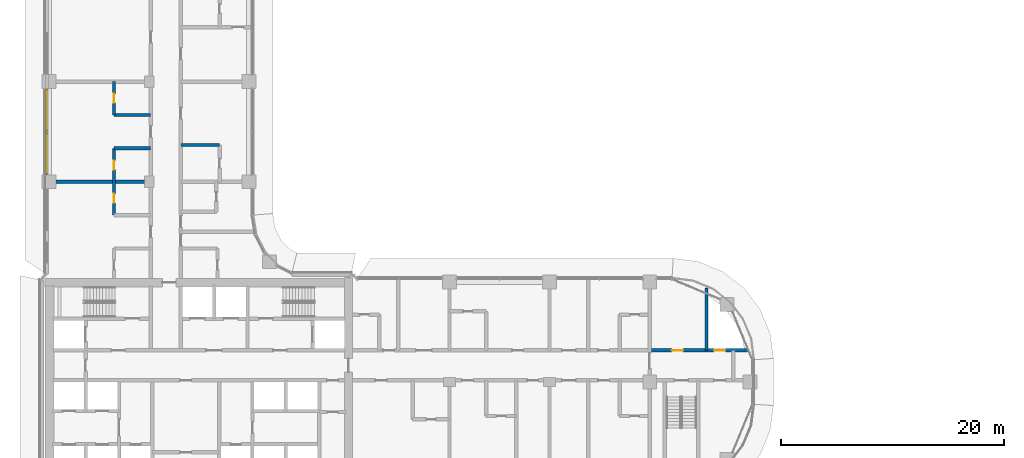
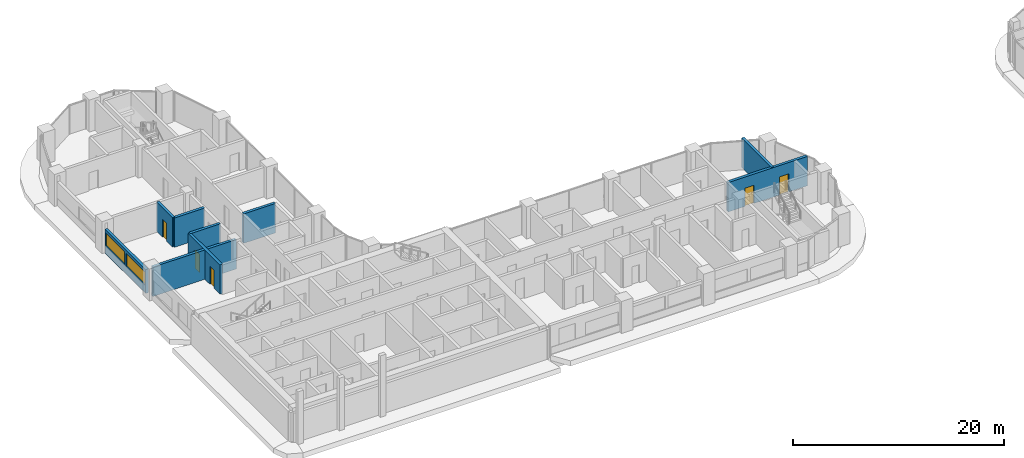
# One storey, part 18 of 33: 9 walls, 5 doors, 2 windows, 7 openings.
"""IFC4 building model written with IfcOpenShell, lengths in metres."""

from ifc_helpers import new_model, si_unit, direction, frame, frame_2d, origin, place, context, subcontext, project, spatial, rectangle, extrude, material, layer, layer_set, type_object, element, fill, save


model = new_model("IFC4")

# Units and contexts
model_context = context("Model", 3, precision=1e-05, world=origin(), true_north=direction((0.0, 1.0)))
body_context = subcontext(model_context, "Body", "Model", "MODEL_VIEW")
ifc_project = project(units=[si_unit("LENGTHUNIT", "METRE"), si_unit("AREAUNIT", "SQUARE_METRE"), si_unit("VOLUMEUNIT", "CUBIC_METRE"), si_unit("PLANEANGLEUNIT", "RADIAN"), si_unit("MASSUNIT", "GRAM", prefix="KILO")], contexts=[model_context])

# Site, building, storey
site_placement = place(None, origin())
site = spatial("IfcSite", under=ifc_project, at=site_placement, CompositionType="ELEMENT")
building_placement = place(site_placement, origin())
building = spatial("IfcBuilding", under=site, at=building_placement, Name="Ogive Portal Towers", CompositionType="ELEMENT")
storey_placement = place(building_placement, frame((0.0, 0.0, 98.199951171875)))
storey = spatial("IfcBuildingStorey", under=building, at=storey_placement, Name="L23", CompositionType="ELEMENT", Elevation=98.199951171875)

# Wall, openings, windows
ifc_material_1 = material(Name="Limestone cladding on lightweight block wall", Category="masonry")
ifc_layer_1 = layer(ifc_material_1, 0.300048828125)
ifc_layer_set_1 = layer_set([ifc_layer_1], Name="EXTERNAL WALL 300 STONE")
wall_type_1 = type_object("IfcWallType", Name="EXTERNAL WALL 300 STONE", PredefinedType="SOLIDWALL", material=ifc_layer_set_1)
wall_1_placement = place(storey_placement, frame((31.330078125, 56.875, 0.0), z_axis=(0.0, 0.0, 1.0), x_axis=(0.0, -1.0, 0.0)))
wall_1 = element("IfcWall", 1, at=wall_1_placement, inside=storey, type_object=wall_type_1, Name="A:L23:f12:r0:wall3", PredefinedType="SOLIDWALL", context=body_context, shape_type="SweptSolid", body=[
    extrude(rectangle(XDim=7.75, YDim=0.300048828125, at=frame_2d((3.875, 0.0))), origin(), (0.0, 0.0, 1.0), 2.75),
])
opening_1_placement = place(wall_1_placement, frame((0.125, 0.0, 0.89990234375)))
opening_1 = element("IfcOpeningElement", 2, at=opening_1_placement, cuts=wall_1, Name="Opening WN12", PredefinedType="OPENING", context=body_context, shape_type="SweptSolid", body=[
    extrude(rectangle(XDim=3.60009765625, YDim=1.5, at=frame_2d((1.800048828125, 0.75))), frame((0.0, 0.16015625, 0.0), z_axis=(0.0, -1.0, 0.0), x_axis=(1.0, 0.0, 0.0)), (0.0, 0.0, 1.0), 0.320068359375),
])
opening_2_placement = place(wall_1_placement, frame((4.02490234375, 0.0, 0.89990234375)))
opening_2 = element("IfcOpeningElement", 3, at=opening_2_placement, cuts=wall_1, Name="Opening WN12", PredefinedType="OPENING", context=body_context, shape_type="SweptSolid", body=[
    extrude(rectangle(XDim=3.60009765625, YDim=1.5, at=frame_2d((1.800048828125, 0.75))), frame((0.0, 0.16015625, 0.0), z_axis=(0.0, -1.0, 0.0), x_axis=(1.0, 0.0, 0.0)), (0.0, 0.0, 1.0), 0.320068359375),
])
ifc_material_2 = material(Name="Glass, clear low-iron insulated glazing", Category="glass")
window_type = type_object("IfcWindowType", Name="WINDOW RIBBON 3600x1500", PartitioningType="TRIPLE_PANEL_VERTICAL", PredefinedType="WINDOW", material=ifc_material_2)
window_1_placement = place(opening_1_placement, origin())
window_1 = element("IfcWindow", 4, at=window_1_placement, inside=storey, type_object=window_type, Name="A:L23:f12:r0:w2", OverallHeight=1.5, OverallWidth=3.60009765625, PartitioningType="SINGLE_PANEL", PredefinedType="WINDOW", context=body_context, shape_type="SweptSolid", body=[
    extrude(rectangle(XDim=3.60009765625, YDim=1.5, at=frame_2d((1.800048828125, 0.75))), frame((0.0, 0.030029296875, 0.0), z_axis=(0.0, -1.0, 0.0), x_axis=(1.0, 0.0, 0.0)), (0.0, 0.0, 1.0), 0.06005859375),
])
fill(opening_1, window_1)
window_2_placement = place(opening_2_placement, origin())
window_2 = element("IfcWindow", 5, at=window_2_placement, inside=storey, type_object=window_type, Name="A:L23:f12:r0:w3", OverallHeight=1.5, OverallWidth=3.60009765625, PartitioningType="SINGLE_PANEL", PredefinedType="WINDOW", context=body_context, shape_type="SweptSolid", body=[
    extrude(rectangle(XDim=3.60009765625, YDim=1.5, at=frame_2d((1.800048828125, 0.75))), frame((0.0, 0.030029296875, 0.0), z_axis=(0.0, -1.0, 0.0), x_axis=(1.0, 0.0, 0.0)), (0.0, 0.0, 1.0), 0.06005859375),
])
fill(opening_2, window_2)

# Wall, openings, doors
ifc_material_3 = material(Name="Gypsum board partition on steel studs", Category="steel")
ifc_layer_2 = layer(ifc_material_3, 0.300048828125)
ifc_layer_set_2 = layer_set([ifc_layer_2], Name="WT-PART-300-EI 120")
wall_type_2 = type_object("IfcWallType", Name="WT-PART-300-EI 120", PredefinedType="PARTITIONING", material=ifc_layer_set_2)
wall_2_placement = place(storey_placement, frame((85.669921875, 33.35009765625, 0.0), z_axis=(0.0, 0.0, 1.0), x_axis=(1.0, 0.0, 0.0)))
wall_2 = element("IfcWall", 6, at=wall_2_placement, inside=storey, type_object=wall_type_2, Name="Wall L23:w008", PredefinedType="PARTITIONING", context=body_context, shape_type="SweptSolid", body=[
    extrude(rectangle(XDim=8.68505859375, YDim=0.300048828125, at=frame_2d((4.342529296875, 0.0))), origin(), (0.0, 0.0, 1.0), 3.400146484375),
])
opening_3_placement = place(wall_2_placement, frame((1.830078125, 0.0, 0.0)))
opening_3 = element("IfcOpeningElement", 7, at=opening_3_placement, cuts=wall_2, Name="Opening D08-060", PredefinedType="OPENING", context=body_context, shape_type="SweptSolid", body=[
    extrude(rectangle(XDim=1.0, YDim=2.10009765625, at=frame_2d((0.5, 1.050048828125))), frame((0.0, 0.16015625, 0.0), z_axis=(0.0, -1.0, 0.0), x_axis=(1.0, 0.0, 0.0)), (0.0, 0.0, 1.0), 0.320068359375),
])
opening_4_placement = place(wall_2_placement, frame((5.6298828125, 0.0, 0.0)))
opening_4 = element("IfcOpeningElement", 8, at=opening_4_placement, cuts=wall_2, Name="Opening D08-061", PredefinedType="OPENING", context=body_context, shape_type="SweptSolid", body=[
    extrude(rectangle(XDim=1.0, YDim=2.10009765625, at=frame_2d((0.5, 1.050048828125))), frame((0.0, 0.16015625, 0.0), z_axis=(0.0, -1.0, 0.0), x_axis=(1.0, 0.0, 0.0)), (0.0, 0.0, 1.0), 0.320068359375),
])
ifc_material_4 = material(Name="Steel fire door", Category="steel")
door_type_1 = type_object("IfcDoorType", Name="DT-SERVICE-1000x2100-FD90S", OperationType="SINGLE_SWING_LEFT", PredefinedType="DOOR", material=ifc_material_4)
door_1_placement = place(opening_3_placement, origin())
door_1 = element("IfcDoor", 9, at=door_1_placement, inside=storey, type_object=door_type_1, Name="Door D08-060", OperationType="SINGLE_SWING_LEFT", OverallHeight=2.10009765625, OverallWidth=1.0, PredefinedType="DOOR", context=body_context, shape_type="SweptSolid", body=[
    extrude(rectangle(XDim=1.0, YDim=2.10009765625, at=frame_2d((0.5, 1.050048828125))), frame((0.0, 0.02490234375, 0.0), z_axis=(0.0, -1.0, 0.0), x_axis=(1.0, 0.0, 0.0)), (0.0, 0.0, 1.0), 0.050048828125),
])
fill(opening_3, door_1)
door_2_placement = place(opening_4_placement, origin())
door_2 = element("IfcDoor", 10, at=door_2_placement, inside=storey, type_object=door_type_1, Name="Riser access door D08-061", OperationType="SINGLE_SWING_RIGHT", OverallHeight=2.10009765625, OverallWidth=1.0, PredefinedType="DOOR", context=body_context, shape_type="SweptSolid", body=[
    extrude(rectangle(XDim=1.0, YDim=2.10009765625, at=frame_2d((0.5, 1.050048828125))), frame((0.0, 0.02490234375, 0.0), z_axis=(0.0, -1.0, 0.0), x_axis=(1.0, 0.0, 0.0)), (0.0, 0.0, 1.0), 0.050048828125),
])
fill(opening_4, door_2)

# Walls
ifc_layer_3 = layer(ifc_material_3, 0.300048828125)
ifc_layer_set_3 = layer_set([ifc_layer_3], Name="WT-PART-300-EI 60")
wall_type_3 = type_object("IfcWallType", Name="WT-PART-300-EI 60", PredefinedType="PARTITIONING", material=ifc_layer_set_3)
wall_3_placement = place(storey_placement, frame((31.530029296875, 48.5, 0.0), z_axis=(0.0, 0.0, 1.0), x_axis=(1.0, 0.0, 0.0)))
element("IfcWall", 11, at=wall_3_placement, inside=storey, type_object=wall_type_3, Name="Wall L23:w017", PredefinedType="PARTITIONING", context=body_context, shape_type="SweptSolid", body=[
    extrude(rectangle(XDim=9.119873046875, YDim=0.300048828125, at=frame_2d((4.56005859375, 0.0))), origin(), (0.0, 0.0, 1.0), 3.400146484375),
])
wall_4_placement = place(storey_placement, frame((37.35009765625, 51.5, 0.0), z_axis=(0.0, 0.0, 1.0), x_axis=(1.0, 0.0, 0.0)))
element("IfcWall", 12, at=wall_4_placement, inside=storey, type_object=wall_type_3, Name="Wall L23:w019", PredefinedType="PARTITIONING", context=body_context, shape_type="SweptSolid", body=[
    extrude(rectangle(XDim=3.2998046875, YDim=0.300048828125, at=frame_2d((1.64990234375, 0.0))), origin(), (0.0, 0.0, 1.0), 3.400146484375),
])
wall_5_placement = place(storey_placement, frame((43.35009765625, 51.800048828125, 0.0), z_axis=(0.0, 0.0, 1.0), x_axis=(1.0, 0.0, 0.0)))
element("IfcWall", 13, at=wall_5_placement, inside=storey, type_object=wall_type_3, Name="Wall L23:w020", PredefinedType="PARTITIONING", context=body_context, shape_type="SweptSolid", body=[
    extrude(rectangle(XDim=3.5, YDim=0.300048828125, at=frame_2d((1.75, 0.0))), origin(), (0.0, 0.0, 1.0), 3.400146484375),
])
wall_6_placement = place(storey_placement, frame((37.35009765625, 54.5, 0.0), z_axis=(0.0, 0.0, 1.0), x_axis=(1.0, 0.0, 0.0)))
element("IfcWall", 14, at=wall_6_placement, inside=storey, type_object=wall_type_3, Name="Wall L23:w021", PredefinedType="PARTITIONING", context=body_context, shape_type="SweptSolid", body=[
    extrude(rectangle(XDim=3.2998046875, YDim=0.300048828125, at=frame_2d((1.64990234375, 0.0))), origin(), (0.0, 0.0, 1.0), 3.400146484375),
])

# Wall, openings, doors
wall_7_placement = place(storey_placement, frame((37.35009765625, 45.5, 0.0), z_axis=(0.0, 0.0, 1.0), x_axis=(0.0, 1.0, 0.0)))
wall_7 = element("IfcWall", 15, at=wall_7_placement, inside=storey, type_object=wall_type_3, Name="Wall L23:w031", PredefinedType="PARTITIONING", context=body_context, shape_type="SweptSolid", body=[
    extrude(rectangle(XDim=6.0, YDim=0.300048828125, at=frame_2d((3.0, 0.0))), origin(), (0.0, 0.0, 1.0), 3.400146484375),
])
opening_5_placement = place(wall_7_placement, frame((1.10009765625, 0.0, 0.0)))
opening_5 = element("IfcOpeningElement", 16, at=opening_5_placement, cuts=wall_7, Name="Opening D08-046", PredefinedType="OPENING", context=body_context, shape_type="SweptSolid", body=[
    extrude(rectangle(XDim=0.800048828125, YDim=2.10009765625, at=frame_2d((0.39990234375, 1.050048828125))), frame((0.0, 0.16015625, 0.0), z_axis=(0.0, -1.0, 0.0), x_axis=(1.0, 0.0, 0.0)), (0.0, 0.0, 1.0), 0.320068359375),
])
opening_6_placement = place(wall_7_placement, frame((4.10009765625, 0.0, 0.0)))
opening_6 = element("IfcOpeningElement", 17, at=opening_6_placement, cuts=wall_7, Name="Opening D08-050", PredefinedType="OPENING", context=body_context, shape_type="SweptSolid", body=[
    extrude(rectangle(XDim=0.800048828125, YDim=2.10009765625, at=frame_2d((0.39990234375, 1.050048828125))), frame((0.0, 0.16015625, 0.0), z_axis=(0.0, -1.0, 0.0), x_axis=(1.0, 0.0, 0.0)), (0.0, 0.0, 1.0), 0.320068359375),
])
door_type_2 = type_object("IfcDoorType", Name="DT-BATH-800x2100-FD60S", OperationType="SINGLE_SWING_LEFT", PredefinedType="DOOR", material=ifc_material_4)
door_3_placement = place(opening_5_placement, origin())
door_3 = element("IfcDoor", 18, at=door_3_placement, inside=storey, type_object=door_type_2, Name="Door D08-046", OperationType="SINGLE_SWING_LEFT", OverallHeight=2.10009765625, OverallWidth=0.800048828125, PredefinedType="DOOR", context=body_context, shape_type="SweptSolid", body=[
    extrude(rectangle(XDim=0.800048828125, YDim=2.10009765625, at=frame_2d((0.39990234375, 1.050048828125))), frame((0.0, 0.02490234375, 0.0), z_axis=(0.0, -1.0, 0.0), x_axis=(1.0, 0.0, 0.0)), (0.0, 0.0, 1.0), 0.050048828125),
])
fill(opening_5, door_3)
door_4_placement = place(opening_6_placement, origin())
door_4 = element("IfcDoor", 19, at=door_4_placement, inside=storey, type_object=door_type_2, Name="Door D08-050", OperationType="SINGLE_SWING_RIGHT", OverallHeight=2.10009765625, OverallWidth=0.800048828125, PredefinedType="DOOR", context=body_context, shape_type="SweptSolid", body=[
    extrude(rectangle(XDim=0.800048828125, YDim=2.10009765625, at=frame_2d((0.39990234375, 1.050048828125))), frame((0.0, 0.02490234375, 0.0), z_axis=(0.0, -1.0, 0.0), x_axis=(1.0, 0.0, 0.0)), (0.0, 0.0, 1.0), 0.050048828125),
])
fill(opening_6, door_4)

# Wall, opening, door
wall_8_placement = place(storey_placement, frame((37.35009765625, 54.5, 0.0), z_axis=(0.0, 0.0, 1.0), x_axis=(0.0, 1.0, 0.0)))
wall_8 = element("IfcWall", 20, at=wall_8_placement, inside=storey, type_object=wall_type_3, Name="Wall L23:w032", PredefinedType="PARTITIONING", context=body_context, shape_type="SweptSolid", body=[
    extrude(rectangle(XDim=3.0, YDim=0.300048828125, at=frame_2d((1.5, 0.0))), origin(), (0.0, 0.0, 1.0), 3.400146484375),
])
opening_7_placement = place(wall_8_placement, frame((1.10009765625, 0.0, 0.0)))
opening_7 = element("IfcOpeningElement", 21, at=opening_7_placement, cuts=wall_8, Name="Opening D08-051", PredefinedType="OPENING", context=body_context, shape_type="SweptSolid", body=[
    extrude(rectangle(XDim=0.800048828125, YDim=2.10009765625, at=frame_2d((0.39990234375, 1.050048828125))), frame((0.0, 0.16015625, 0.0), z_axis=(0.0, -1.0, 0.0), x_axis=(1.0, 0.0, 0.0)), (0.0, 0.0, 1.0), 0.320068359375),
])
door_5_placement = place(opening_7_placement, origin())
door_5 = element("IfcDoor", 22, at=door_5_placement, inside=storey, type_object=door_type_2, Name="Door D08-051", OperationType="SINGLE_SWING_LEFT", OverallHeight=2.10009765625, OverallWidth=0.800048828125, PredefinedType="DOOR", context=body_context, shape_type="SweptSolid", body=[
    extrude(rectangle(XDim=0.800048828125, YDim=2.10009765625, at=frame_2d((0.39990234375, 1.050048828125))), frame((0.0, 0.02490234375, 0.0), z_axis=(0.0, -1.0, 0.0), x_axis=(1.0, 0.0, 0.0)), (0.0, 0.0, 1.0), 0.050048828125),
])
fill(opening_7, door_5)

# Wall
wall_9_placement = place(storey_placement, frame((90.60009765625, 33.35009765625, 0.0), z_axis=(0.0, 0.0, 1.0), x_axis=(0.0, 1.0, 0.0)))
element("IfcWall", 23, at=wall_9_placement, inside=storey, type_object=wall_type_3, Name="Wall L23:w058", PredefinedType="PARTITIONING", context=body_context, shape_type="SweptSolid", body=[
    extrude(rectangle(XDim=5.602783203125, YDim=0.300048828125, at=frame_2d((2.80126953125, 0.0))), origin(), (0.0, 0.0, 1.0), 3.400146484375),
])

save(model, "model.ifc")
